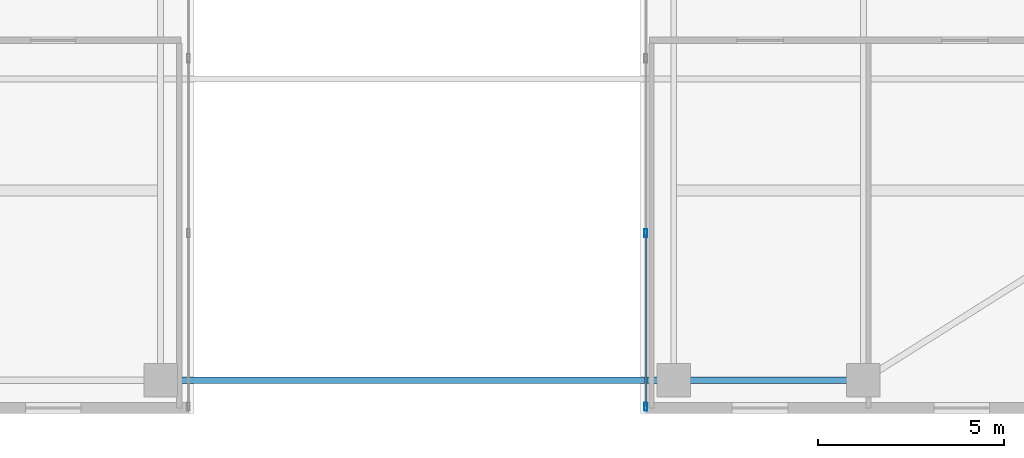
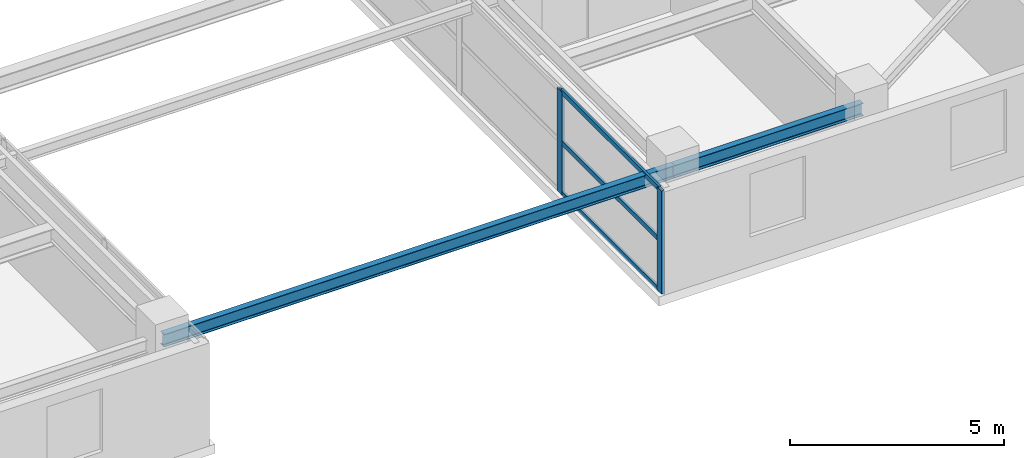
# One storey, part 4 of 21: 5 members, 2 beams, 1 element without a shape of its own.
"""IFC4 building model written with IfcOpenShell, lengths in metres."""

from ifc_helpers import new_model, si_unit, direction, frame, origin, origin_2d, place, context, subcontext, project, spatial, hollow_rectangle, i_section, extrude, source, transform, mapped, material, layer, layer_set, material_profile, profile_set, type_object, element, aggregate, save


model = new_model("IFC4")

# Units and contexts
model_context = context("Model", 3, precision=1e-05, world=origin(), true_north=direction((0.0, 1.0)))
body_context = subcontext(model_context, "Body", "Model", "MODEL_VIEW")
ifc_project = project(units=[si_unit("LENGTHUNIT", "METRE"), si_unit("AREAUNIT", "SQUARE_METRE"), si_unit("VOLUMEUNIT", "CUBIC_METRE"), si_unit("PLANEANGLEUNIT", "RADIAN"), si_unit("MASSUNIT", "GRAM", prefix="KILO")], contexts=[model_context])

# Site, building, storey
site_placement = place(None, origin())
site = spatial("IfcSite", under=ifc_project, at=site_placement, CompositionType="ELEMENT")
building_placement = place(site_placement, origin())
building = spatial("IfcBuilding", under=site, at=building_placement, Name="Khoralis Quay Care Tower", CompositionType="ELEMENT")
storey_placement = place(building_placement, frame((0.0, 0.0, 213.300048828125)))
storey = spatial("IfcBuildingStorey", under=building, at=storey_placement, Name="L56", CompositionType="ELEMENT", Elevation=213.300048828125)

# Beams
ifc_material_1 = material(Name="Steel S355", Category="steel")
ifc_material_profile_1 = material_profile(ifc_material_1, i_section(OverallWidth=0.169921875, OverallDepth=0.360107421875, WebThickness=0.008056640625, FlangeThickness=0.0126953125, FilletRadius=0.01806640625, at=origin_2d()), Name="Steel S355")
ifc_profile_set_1 = profile_set([ifc_material_profile_1], Name="Steel S355")
beam_type = type_object("IfcBeamType", Name="BM-IPE360", PredefinedType="SPANDREL", material=ifc_profile_set_1)
shared_shape_1 = source(origin(), body_context, "Body", "SweptSolid", [
    extrude(i_section(OverallWidth=0.169921875, OverallDepth=0.360107421875, WebThickness=0.008056640625, FlangeThickness=0.0126953125, FilletRadius=0.01806640625, at=origin_2d()), origin(), (0.0, 0.0, 1.0), 5.10009765625),
])
beam_1_placement = place(storey_placement, frame((30.89990234375, 0.89990234375, 2.77001953125), z_axis=(1.0, 0.0, 0.0), x_axis=(0.0, 1.0, 0.0)))
element("IfcBeam", 1, at=beam_1_placement, inside=storey, type_object=beam_type, Name="BM-TSP-L56-03", PredefinedType="SPANDREL", context=body_context, shape_type="MappedRepresentation", body=[
    mapped(shared_shape_1, transform((0.0, 0.0, 0.0), scale=1.0)),
])
shared_shape_2 = source(origin(), body_context, "Body", "SweptSolid", [
    extrude(i_section(OverallWidth=0.169921875, OverallDepth=0.360107421875, WebThickness=0.008056640625, FlangeThickness=0.0126953125, FilletRadius=0.01806640625, at=origin_2d()), origin(), (0.0, 0.0, 1.0), 13.7998046875),
])
beam_2_placement = place(storey_placement, frame((17.10009765625, 0.89990234375, 2.77001953125), z_axis=(1.0, 0.0, 0.0), x_axis=(0.0, 1.0, 0.0)))
element("IfcBeam", 2, at=beam_2_placement, inside=storey, type_object=beam_type, Name="BM-TSP-L56-02", PredefinedType="SPANDREL", context=body_context, shape_type="MappedRepresentation", body=[
    mapped(shared_shape_2, transform((0.0, 0.0, 0.0), scale=1.0)),
])

# Curtain wall, members
ifc_material_2 = material(Name="Pale anodised aluminium", Category="aluminium")
ifc_layer = layer(ifc_material_2, 0.18994140625)
ifc_layer_set = layer_set([ifc_layer], Name="Pale anodised aluminium")
curtain_wall_type = type_object("IfcCurtainWallType", Name="CW-SYS-PORTAL", PredefinedType="NOTDEFINED", material=ifc_layer_set)
curtain_wall_placement = place(storey_placement, origin())
curtain_wall = element("IfcCurtainWall", 3, at=curtain_wall_placement, inside=storey, type_object=curtain_wall_type, Name="L56 Unitised Curtain Wall CW-VP-L56-P2-S", PredefinedType="NOTDEFINED")
ifc_material_profile_2 = material_profile(ifc_material_2, hollow_rectangle(XDim=0.06005859375, YDim=0.139892578125, WallThickness=0.00390625, at=origin_2d()), Name="Pale anodised aluminium")
ifc_profile_set_2 = profile_set([ifc_material_profile_2], Name="Pale anodised aluminium")
member_type_1 = type_object("IfcMemberType", Name="CW-TRN-140", PredefinedType="USERDEFINED", material=ifc_profile_set_2)
shared_shape_3 = source(origin(), body_context, "Body", "SweptSolid", [
    extrude(hollow_rectangle(XDim=0.06005859375, YDim=0.139892578125, WallThickness=0.00390625, at=origin_2d()), origin(), (0.0, 0.0, 1.0), 4.610107421875),
])
member_1_placement = place(storey_placement, frame((30.14990234375, 0.2099609375, 0.030029296875), z_axis=(0.0, 1.0, 0.0), x_axis=(-1.0, 0.0, 0.0)))
member_1 = element("IfcMember", 4, at=member_1_placement, type_object=member_type_1, Name="CW4 transom 1.1", ObjectType="TRANSOM", PredefinedType="USERDEFINED", context=body_context, shape_type="MappedRepresentation", body=[
    mapped(shared_shape_3, transform((0.0, 0.0, 0.0), scale=1.0)),
])
member_2_placement = place(storey_placement, frame((30.14990234375, 0.2099609375, 1.474853515625), z_axis=(0.0, 1.0, 0.0), x_axis=(-1.0, 0.0, 0.0)))
member_2 = element("IfcMember", 5, at=member_2_placement, type_object=member_type_1, Name="CW4 transom 1.2", ObjectType="TRANSOM", PredefinedType="USERDEFINED", context=body_context, shape_type="MappedRepresentation", body=[
    mapped(shared_shape_3, transform((0.0, 0.0, 0.0), scale=1.0)),
])
member_3_placement = place(storey_placement, frame((30.14990234375, 0.2099609375, 2.919921875), z_axis=(0.0, 1.0, 0.0), x_axis=(-1.0, 0.0, 0.0)))
member_3 = element("IfcMember", 6, at=member_3_placement, type_object=member_type_1, Name="CW4 transom 1.3", ObjectType="TRANSOM", PredefinedType="USERDEFINED", context=body_context, shape_type="MappedRepresentation", body=[
    mapped(shared_shape_3, transform((0.0, 0.0, 0.0), scale=1.0)),
])
ifc_material_profile_3 = material_profile(ifc_material_2, hollow_rectangle(XDim=0.074951171875, YDim=0.219970703125, WallThickness=0.00390625, at=origin_2d()), Name="Pale anodised aluminium")
ifc_profile_set_3 = profile_set([ifc_material_profile_3], Name="Pale anodised aluminium")
member_type_2 = type_object("IfcMemberType", Name="CW-MUL-220", PredefinedType="MULLION", material=ifc_profile_set_3)
shared_shape_4 = source(origin(), body_context, "Body", "SweptSolid", [
    extrude(hollow_rectangle(XDim=0.074951171875, YDim=0.219970703125, WallThickness=0.00390625, at=origin_2d()), origin(), (0.0, 0.0, 1.0), 2.949951171875),
])
member_4_placement = place(storey_placement, frame((30.14990234375, 0.179931640625, 0.0), z_axis=(0.0, 0.0, 1.0), x_axis=(-1.0, 0.0, 0.0)))
member_4 = element("IfcMember", 7, at=member_4_placement, type_object=member_type_2, Name="CW4 mullion 1", PredefinedType="MULLION", context=body_context, shape_type="MappedRepresentation", body=[
    mapped(shared_shape_4, transform((0.0, 0.0, 0.0), scale=1.0)),
])
member_5_placement = place(storey_placement, frame((30.14990234375, 4.85009765625, 0.0), z_axis=(0.0, 0.0, 1.0), x_axis=(-1.0, 0.0, 0.0)))
member_5 = element("IfcMember", 8, at=member_5_placement, type_object=member_type_2, Name="CW4 mullion 2", PredefinedType="MULLION", context=body_context, shape_type="MappedRepresentation", body=[
    mapped(shared_shape_4, transform((0.0, 0.0, 0.0), scale=1.0)),
])
aggregate(curtain_wall, [member_4, member_5, member_1, member_2, member_3])

save(model, "model.ifc")
